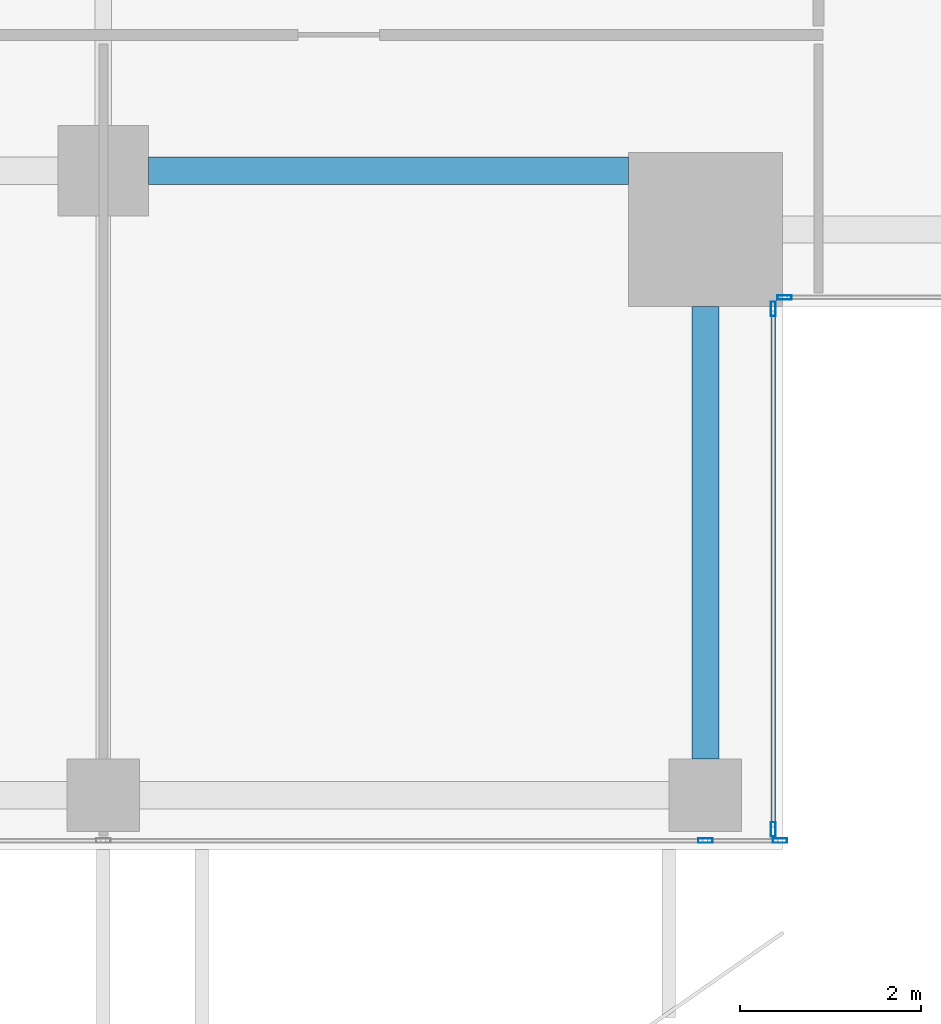
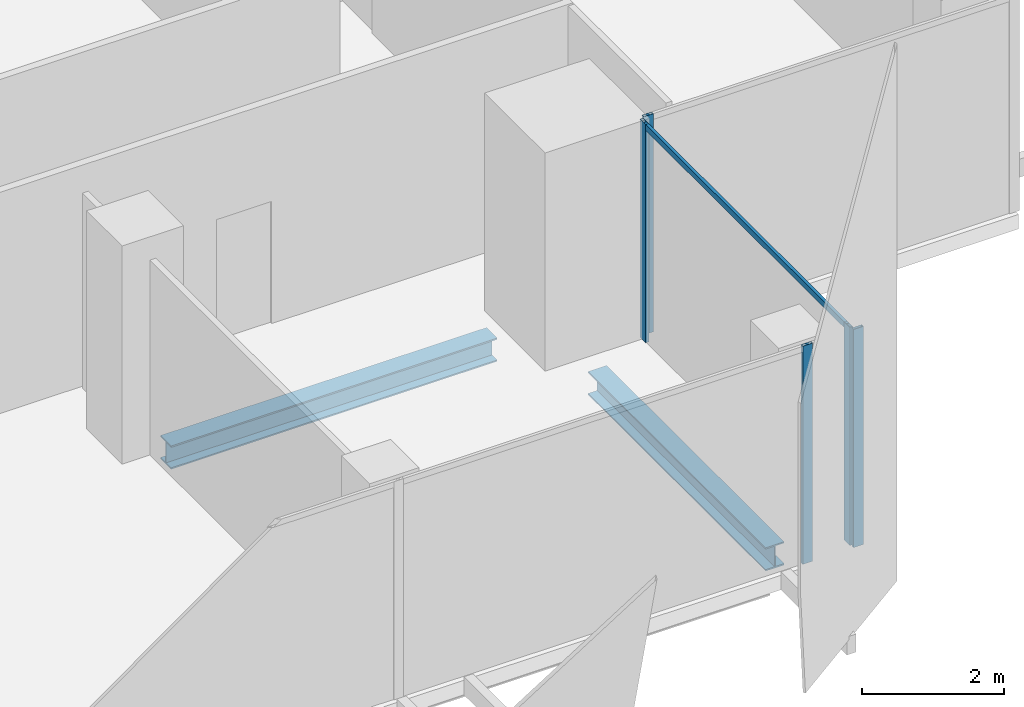
# One storey, part 7 of 32: 6 members, 2 beams, 3 elements without a shape of their own.
"""IFC4 building model written with IfcOpenShell, lengths in metres."""

from ifc_helpers import new_model, si_unit, direction, frame, origin, origin_2d, place, context, subcontext, project, spatial, hollow_rectangle, i_section, extrude, source, transform, mapped, material, material_profile, profile_set, type_object, element, aggregate, save


model = new_model("IFC4")

# Units and contexts
model_context = context("Model", 3, precision=1e-05, world=origin(), true_north=direction((0.0, 1.0)))
body_context = subcontext(model_context, "Body", "Model", "MODEL_VIEW")
ifc_project = project(units=[si_unit("LENGTHUNIT", "METRE"), si_unit("AREAUNIT", "SQUARE_METRE"), si_unit("VOLUMEUNIT", "CUBIC_METRE"), si_unit("PLANEANGLEUNIT", "RADIAN"), si_unit("MASSUNIT", "GRAM", prefix="KILO")], contexts=[model_context])

# Site, building, storey
site_placement = place(None, origin())
site = spatial("IfcSite", under=ifc_project, at=site_placement, CompositionType="ELEMENT")
building_placement = place(site_placement, origin())
building = spatial("IfcBuilding", under=site, at=building_placement, Name="Khomas Fold Tower", CompositionType="ELEMENT")
storey_placement = place(building_placement, frame((0.0, 0.0, 318.199951171875)))
storey = spatial("IfcBuildingStorey", under=building, at=storey_placement, Name="L72", CompositionType="ELEMENT", Elevation=318.199951171875)

# Beams
ifc_material_1 = material(Name="Steel S355", Category="steel")
ifc_material_profile_1 = material_profile(ifc_material_1, i_section(OverallWidth=0.300048828125, OverallDepth=0.39990234375, WebThickness=0.013427734375, FlangeThickness=0.02392578125, at=origin_2d()), Name="HE 400 B")
ifc_profile_set_1 = profile_set([ifc_material_profile_1], Name="Steel S355")
beam_type_1 = type_object("IfcBeamType", Name="HE 400 B spandrel SB5", PredefinedType="SPANDREL", material=ifc_profile_set_1)
shared_shape_1 = source(origin(), body_context, "Body", "SweptSolid", [
    extrude(i_section(OverallWidth=0.300048828125, OverallDepth=0.39990234375, WebThickness=0.013427734375, FlangeThickness=0.02392578125, at=origin_2d()), origin(), (0.0, 0.0, 1.0), 5.0),
])
beam_1_placement = place(storey_placement, frame((41.14990234375, 7.0, -0.449951171875), z_axis=(0.0, 1.0, 0.0), x_axis=(-1.0, 0.0, 0.0)))
element("IfcBeam", 1, at=beam_1_placement, inside=storey, type_object=beam_type_1, Name="SB5", PredefinedType="SPANDREL", context=body_context, shape_type="MappedRepresentation", body=[
    mapped(shared_shape_1, transform((0.0, 0.0, 0.0))),
])
ifc_material_2 = material(Name="Steel S355", Category="steel")
ifc_material_profile_2 = material_profile(ifc_material_2, i_section(OverallWidth=0.300048828125, OverallDepth=0.39990234375, WebThickness=0.013427734375, FlangeThickness=0.02392578125, at=origin_2d()), Name="HE 400 B")
ifc_profile_set_2 = profile_set([ifc_material_profile_2], Name="Steel S355")
beam_type_2 = type_object("IfcBeamType", Name="HE 400 B beam GB1", PredefinedType="BEAM", material=ifc_profile_set_2)
shared_shape_2 = source(origin(), body_context, "Body", "SweptSolid", [
    extrude(i_section(OverallWidth=0.300048828125, OverallDepth=0.39990234375, WebThickness=0.013427734375, FlangeThickness=0.02392578125, at=origin_2d()), origin(), (0.0, 0.0, 1.0), 5.300048828125),
])
beam_2_placement = place(storey_placement, frame((35.0, 13.5, -0.449951171875), z_axis=(1.0, 0.0, 0.0), x_axis=(0.0, 1.0, 0.0)))
element("IfcBeam", 2, at=beam_2_placement, inside=storey, type_object=beam_type_2, Name="GB1", PredefinedType="BEAM", context=body_context, shape_type="MappedRepresentation", body=[
    mapped(shared_shape_2, transform((0.0, 0.0, 0.0))),
])

# Curtain wall, members
ifc_material_3 = material(Name="Aluminium framed double glazing", Category="aluminium")
curtain_wall_type = type_object("IfcCurtainWallType", Name="SK-Unitised clear-glass wall, upper floors CW3", PredefinedType="NOTDEFINED", material=ifc_material_3)
curtain_wall_1_placement = place(storey_placement, origin())
curtain_wall_1 = element("IfcCurtainWall", 3, at=curtain_wall_1_placement, inside=storey, type_object=curtain_wall_type, Name="CW3 run L72 00-0", PredefinedType="NOTDEFINED")
ifc_material_4 = material(Name="Aluminium", Category="aluminium")
ifc_material_profile_3 = material_profile(ifc_material_4, hollow_rectangle(XDim=0.050048828125, YDim=0.159912109375, WallThickness=0.00390625, at=origin_2d()), Name="SK-Unitised clear-glass wall, upper floors mullion CW3-M")
ifc_profile_set_3 = profile_set([ifc_material_profile_3], Name="Aluminium")
member_type_1 = type_object("IfcMemberType", Name="SK-Unitised clear-glass wall, upper floors mullion CW3-M", PredefinedType="MULLION", material=ifc_profile_set_3)
shared_shape_3 = source(origin(), body_context, "Body", "SweptSolid", [
    extrude(hollow_rectangle(XDim=0.050048828125, YDim=0.159912109375, WallThickness=0.00390625, at=origin_2d()), origin(), (0.0, 0.0, 1.0), 3.75),
])
member_1_placement = place(storey_placement, frame((41.14990234375, 6.10009765625, 0.0), z_axis=(0.0, 0.0, 1.0), x_axis=(0.0, 1.0, 0.0)))
member_1 = element("IfcMember", 4, at=member_1_placement, type_object=member_type_1, Name="CW3 mullion 6", PredefinedType="MULLION", context=body_context, shape_type="MappedRepresentation", body=[
    mapped(shared_shape_3, transform((0.0, 0.0, 0.0))),
])
member_2_placement = place(storey_placement, frame((41.97509765625, 6.10009765625, 0.0), z_axis=(0.0, 0.0, 1.0), x_axis=(0.0, 1.0, 0.0)))
member_2 = element("IfcMember", 5, at=member_2_placement, type_object=member_type_1, Name="CW3 mullion 7", PredefinedType="MULLION", context=body_context, shape_type="MappedRepresentation", body=[
    mapped(shared_shape_3, transform((0.0, 0.0, 0.0))),
])
aggregate(curtain_wall_1, [member_1, member_2])

curtain_wall_2_placement = place(storey_placement, origin())
curtain_wall_2 = element("IfcCurtainWall", 6, at=curtain_wall_2_placement, inside=storey, type_object=curtain_wall_type, Name="CW3 corner return L72 01", PredefinedType="NOTDEFINED")
member_3_placement = place(storey_placement, frame((41.89990234375, 6.22509765625, 0.0), z_axis=(0.0, 0.0, 1.0), x_axis=(-1.0, 0.0, 0.0)))
member_3 = element("IfcMember", 7, at=member_3_placement, type_object=member_type_1, Name="CW3 mullion 1", PredefinedType="MULLION", context=body_context, shape_type="MappedRepresentation", body=[
    mapped(shared_shape_3, transform((0.0, 0.0, 0.0))),
])
member_4_placement = place(storey_placement, frame((41.89990234375, 11.97509765625, 0.0), z_axis=(0.0, 0.0, 1.0), x_axis=(-1.0, 0.0, 0.0)))
member_4 = element("IfcMember", 8, at=member_4_placement, type_object=member_type_1, Name="CW3 mullion 2", PredefinedType="MULLION", context=body_context, shape_type="MappedRepresentation", body=[
    mapped(shared_shape_3, transform((0.0, 0.0, 0.0))),
])

# Curtain wall, member
curtain_wall_3_placement = place(storey_placement, origin())
curtain_wall_3 = element("IfcCurtainWall", 9, at=curtain_wall_3_placement, inside=storey, type_object=curtain_wall_type, Name="CW3 corner return L72 02", PredefinedType="NOTDEFINED")
member_5_placement = place(storey_placement, frame((42.02490234375, 12.10009765625, 0.0), z_axis=(0.0, 0.0, 1.0), x_axis=(0.0, 1.0, 0.0)))
member_5 = element("IfcMember", 10, at=member_5_placement, type_object=member_type_1, Name="CW3 mullion 1", PredefinedType="MULLION", context=body_context, shape_type="MappedRepresentation", body=[
    mapped(shared_shape_3, transform((0.0, 0.0, 0.0))),
])
aggregate(curtain_wall_3, [member_5])

# Member
ifc_material_5 = material(Name="Aluminium", Category="aluminium")
ifc_material_profile_4 = material_profile(ifc_material_5, hollow_rectangle(XDim=0.050048828125, YDim=0.10009765625, WallThickness=0.00390625, at=origin_2d()), Name="SK-Unitised clear-glass wall, upper floors transom CW3-T")
ifc_profile_set_4 = profile_set([ifc_material_profile_4], Name="Aluminium")
member_type_2 = type_object("IfcMemberType", Name="SK-Unitised clear-glass wall, upper floors transom CW3-T", PredefinedType="USERDEFINED", material=ifc_profile_set_4)
shared_shape_4 = source(origin(), body_context, "Body", "SweptSolid", [
    extrude(hollow_rectangle(XDim=0.050048828125, YDim=0.10009765625, WallThickness=0.00390625, at=origin_2d()), origin(), (0.0, 0.0, 1.0), 5.699951171875),
])
member_6_placement = place(storey_placement, frame((41.89990234375, 6.25, 3.699951171875), z_axis=(0.0, 1.0, 0.0), x_axis=(-1.0, 0.0, 0.0)))
member_6 = element("IfcMember", 11, at=member_6_placement, type_object=member_type_2, Name="CW3 transom 1", ObjectType="TRANSOM", PredefinedType="USERDEFINED", context=body_context, shape_type="MappedRepresentation", body=[
    mapped(shared_shape_4, transform((0.0, 0.0, 0.0))),
])

aggregate(curtain_wall_2, [member_3, member_4, member_6])

save(model, "model.ifc")
